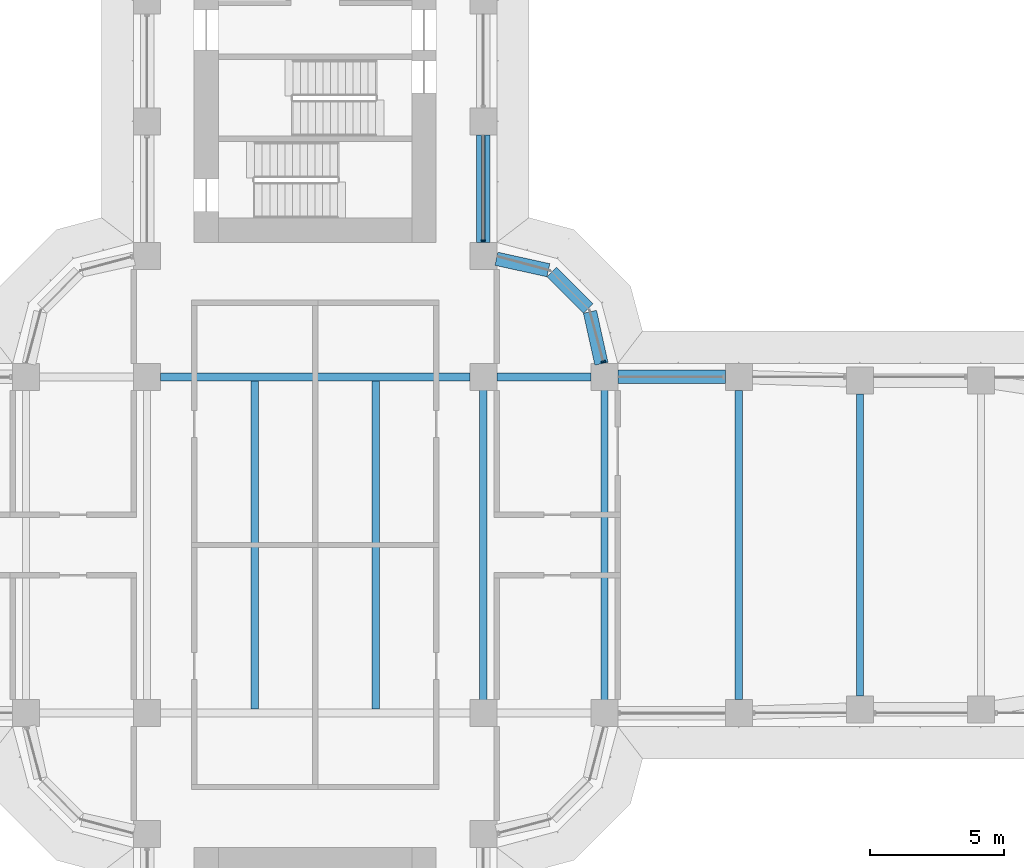
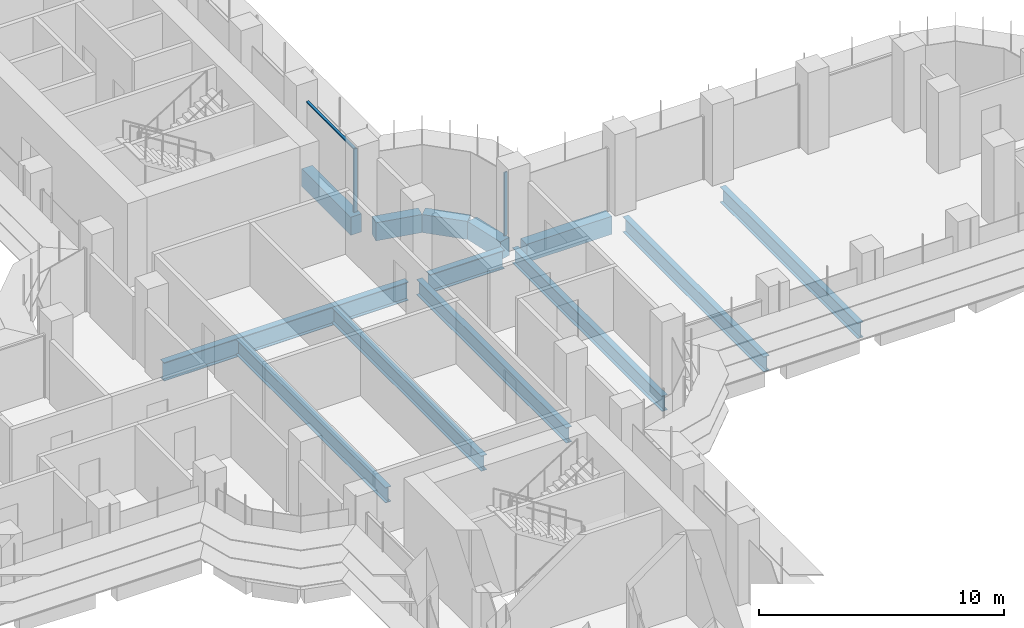
# One storey, part 8 of 23: 13 beams, 3 members, 2 elements without a shape of their own.
"""IFC4 building model written with IfcOpenShell, lengths in metres."""

from ifc_helpers import new_model, si_unit, direction, frame, origin, origin_2d, place, context, subcontext, project, spatial, polyline, rectangle, i_section, outline, extrude, source, transform, mapped, material, material_profile, profile_set, type_object, element, aggregate, save


model = new_model("IFC4")

# Units and contexts
model_context = context("Model", 3, precision=1e-05, world=origin(), true_north=direction((0.0, 1.0)))
body_context = subcontext(model_context, "Body", "Model", "MODEL_VIEW")
ifc_project = project(units=[si_unit("LENGTHUNIT", "METRE"), si_unit("AREAUNIT", "SQUARE_METRE"), si_unit("VOLUMEUNIT", "CUBIC_METRE"), si_unit("PLANEANGLEUNIT", "RADIAN"), si_unit("MASSUNIT", "GRAM", prefix="KILO")], contexts=[model_context])

# Site, building, storey
site_placement = place(None, origin())
site = spatial("IfcSite", under=ifc_project, at=site_placement, CompositionType="ELEMENT")
building_placement = place(site_placement, origin())
building = spatial("IfcBuilding", under=site, at=building_placement, Name="Zarbagh Exchange Tower", CompositionType="ELEMENT")
storey_placement = place(building_placement, frame((0.0, 0.0, 60.60009765625)))
storey = spatial("IfcBuildingStorey", under=building, at=storey_placement, Name="L13", CompositionType="ELEMENT", Elevation=60.60009765625)

# Beams
ifc_material_1 = material(Name="Steel ASTM A992 Gr 50", Category="steel")
ifc_material_profile_1 = material_profile(ifc_material_1, i_section(OverallWidth=0.2666015625, OverallDepth=0.76708984375, WebThickness=0.014892578125, FlangeThickness=0.023681640625, at=origin_2d()), Name="W30X124")
ifc_profile_set_1 = profile_set([ifc_material_profile_1], Name="Steel ASTM A992 Gr 50")
beam_type_1 = type_object("IfcBeamType", Name="Floor beam W30X124", PredefinedType="BEAM", material=ifc_profile_set_1)
for number, where, z_axis, x_axis, name in (
    (1, (-2.25, -6.09765625, -0.53369140625), (0.0, 1.0, 0.0), (-1.0, 0.0, 0.0), "Steel floor beam"),
    (2, (2.25, -6.09765625, -0.53369140625), (0.0, 1.0, 0.0), (-1.0, 0.0, 0.0), "Steel floor beam"),
    (3, (6.25, -6.09765625, -0.53369140625), (0.0, 1.0, 0.0), (-1.0, 0.0, 0.0), "Steel floor beam"),
    (4, (10.75, -6.09765625, -0.53369140625), (0.0, 1.0, 0.0), (-1.0, 0.0, 0.0), "Steel floor beam"),
):
    element("IfcBeam", number, at=place(storey_placement, frame(where, z_axis=z_axis, x_axis=x_axis)), inside=storey, type_object=beam_type_1, Name=name, PredefinedType="BEAM", context=body_context, shape_type="SweptSolid", body=[
        extrude(i_section(OverallWidth=0.2666015625, OverallDepth=0.76708984375, WebThickness=0.014892578125, FlangeThickness=0.023681640625, at=origin_2d()), origin(), (0.0, 0.0, 1.0), 12.1953125),
    ])
beam_1_placement = place(storey_placement, frame((15.75, -5.75, -0.53369140625), z_axis=(0.0, 1.0, 0.0), x_axis=(-1.0, 0.0, 0.0)))
element("IfcBeam", 5, at=beam_1_placement, inside=storey, type_object=beam_type_1, Name="Steel floor beam", PredefinedType="BEAM", context=body_context, shape_type="SweptSolid", body=[
    extrude(i_section(OverallWidth=0.2666015625, OverallDepth=0.76708984375, WebThickness=0.014892578125, FlangeThickness=0.023681640625, at=origin_2d()), origin(), (0.0, 0.0, 1.0), 11.5),
])
beam_2_placement = place(storey_placement, frame((20.25, -5.610107421875, -0.53369140625), z_axis=(0.0, 1.0, 0.0), x_axis=(-1.0, 0.0, 0.0)))
element("IfcBeam", 6, at=beam_2_placement, inside=storey, type_object=beam_type_1, Name="Steel floor beam", PredefinedType="BEAM", context=body_context, shape_type="SweptSolid", body=[
    extrude(i_section(OverallWidth=0.2666015625, OverallDepth=0.76708984375, WebThickness=0.014892578125, FlangeThickness=0.023681640625, at=origin_2d()), origin(), (0.0, 0.0, 1.0), 11.22021484375),
])
ifc_material_profile_2 = material_profile(ifc_material_1, i_section(OverallWidth=0.3046875, OverallDepth=0.91943359375, WebThickness=0.017333984375, FlangeThickness=0.02783203125, at=origin_2d()), Name="W36X170")
ifc_profile_set_2 = profile_set([ifc_material_profile_2], Name="Steel ASTM A992 Gr 50")
beam_type_2 = type_object("IfcBeamType", Name="Floor girder W36X170", PredefinedType="BEAM", material=ifc_profile_set_2)
beam_3_placement = place(storey_placement, frame((-5.75, 6.25, -0.60986328125), z_axis=(1.0, 0.0, 0.0), x_axis=(0.0, 1.0, 0.0)))
element("IfcBeam", 7, at=beam_3_placement, inside=storey, type_object=beam_type_2, Name="Steel girder", PredefinedType="BEAM", context=body_context, shape_type="SweptSolid", body=[
    extrude(i_section(OverallWidth=0.3046875, OverallDepth=0.91943359375, WebThickness=0.017333984375, FlangeThickness=0.02783203125, at=origin_2d()), origin(), (0.0, 0.0, 1.0), 11.5),
])
beam_4_placement = place(storey_placement, frame((6.75, 6.25, -0.60986328125), z_axis=(1.0, 0.0, 0.0), x_axis=(0.0, 1.0, 0.0)))
element("IfcBeam", 8, at=beam_4_placement, inside=storey, type_object=beam_type_2, Name="Steel girder", PredefinedType="BEAM", context=body_context, shape_type="SweptSolid", body=[
    extrude(i_section(OverallWidth=0.3046875, OverallDepth=0.91943359375, WebThickness=0.017333984375, FlangeThickness=0.02783203125, at=origin_2d()), origin(), (0.0, 0.0, 1.0), 3.5),
])
ifc_material_2 = material(Name="Concrete C60/75", Category="concrete")
ifc_material_profile_3 = material_profile(ifc_material_2, rectangle(XDim=0.5, YDim=0.89990234375, at=origin_2d()), Name="RC spandrel beam 500 x 900 C60/75")
ifc_profile_set_3 = profile_set([ifc_material_profile_3], Name="Concrete C60/75")
beam_type_3 = type_object("IfcBeamType", Name="RC spandrel beam 500 x 900 C60/75", PredefinedType="SPANDREL", material=ifc_profile_set_3)
beam_5_placement = place(storey_placement, frame((6.25, 15.25, -0.60009765625), z_axis=(0.0, -1.0, 0.0), x_axis=(1.0, 0.0, 0.0)))
element("IfcBeam", 9, at=beam_5_placement, inside=storey, type_object=beam_type_3, Name="RC spandrel beam", PredefinedType="SPANDREL", context=body_context, shape_type="SweptSolid", body=[
    extrude(rectangle(XDim=0.5, YDim=0.89990234375, at=origin_2d()), origin(), (0.0, 0.0, 1.0), 4.0),
])
beam_6_placement = place(storey_placement, frame((6.73828125, 10.64208984375, -0.60009765625), z_axis=(0.976375426825, -0.216081063242, 0.0), x_axis=(0.216081063242, 0.976375426825, 0.0)))
element("IfcBeam", 10, at=beam_6_placement, inside=storey, type_object=beam_type_3, Name="RC spandrel beam", PredefinedType="SPANDREL", context=body_context, shape_type="SweptSolid", body=[
    extrude(rectangle(XDim=0.5, YDim=0.89990234375, at=origin_2d()), origin(), (0.0, 0.0, 1.0), 1.978271484375),
])
beam_7_placement = place(storey_placement, frame((8.792724609375, 10.147216796875, -0.60009765625), z_axis=(0.707106781187, -0.707106781187, 0.0), x_axis=(0.707106781187, 0.707106781187, 0.0)))
element("IfcBeam", 11, at=beam_7_placement, inside=storey, type_object=beam_type_3, Name="RC spandrel beam", PredefinedType="SPANDREL", context=body_context, shape_type="SweptSolid", body=[
    extrude(rectangle(XDim=0.5, YDim=0.89990234375, at=origin_2d()), origin(), (0.0, 0.0, 1.0), 1.91552734375),
])
beam_8_placement = place(storey_placement, frame((10.214599609375, 8.669921875, -0.60009765625), z_axis=(0.216081063242, -0.976375426825, 0.0), x_axis=(0.976375426825, 0.216081063242, 0.0)))
element("IfcBeam", 12, at=beam_8_placement, inside=storey, type_object=beam_type_3, Name="RC spandrel beam", PredefinedType="SPANDREL", context=body_context, shape_type="SweptSolid", body=[
    extrude(rectangle(XDim=0.5, YDim=0.89990234375, at=origin_2d()), origin(), (0.0, 0.0, 1.0), 1.978271484375),
])
beam_9_placement = place(storey_placement, frame((11.25, 6.25, -0.60009765625), z_axis=(1.0, 0.0, 0.0), x_axis=(0.0, 1.0, 0.0)))
element("IfcBeam", 13, at=beam_9_placement, inside=storey, type_object=beam_type_3, Name="RC spandrel beam", PredefinedType="SPANDREL", context=body_context, shape_type="SweptSolid", body=[
    extrude(rectangle(XDim=0.5, YDim=0.89990234375, at=origin_2d()), origin(), (0.0, 0.0, 1.0), 4.0),
])

# Curtain wall, member
ifc_material_3 = material(Name="Anodised aluminium frame and glazing", Category="aluminium")
curtain_wall_type = type_object("IfcCurtainWallType", Name="CWA Ribbon glazing, lower zones", PredefinedType="NOTDEFINED", material=ifc_material_3)
curtain_wall_1_placement = place(storey_placement, origin())
curtain_wall_1 = element("IfcCurtainWall", 14, at=curtain_wall_1_placement, inside=storey, type_object=curtain_wall_type, Name="CWA17 curtain wall", PredefinedType="NOTDEFINED")
ifc_material_4 = material(Name="Anodised aluminium frame", Category="aluminium")
member_type_1 = type_object("IfcMemberType", Name="MUA Mullion, anodised aluminium frame", PredefinedType="MULLION", material=ifc_material_4)
shared_shape_1 = source(origin(), body_context, "Body", "SweptSolid", [
    extrude(outline(polyline([(0.0, -0.080078125), (0.06005859375, -0.080078125), (0.06005859375, 0.080078125), (0.0, 0.080078125), (0.0, -0.080078125)])), origin(), (0.0, 0.0, 1.0), 3.14990234375),
])
placement = place(storey_placement, origin())
member_1 = element("IfcMember", 15, at=placement, type_object=member_type_1, Name="CWA17 mullion 1.1", PredefinedType="MULLION", context=body_context, shape_type="MappedRepresentation", body=[
    mapped(shared_shape_1, transform((10.7216796875, 6.7900390625, 0.0), x_axis=(-0.258824779902, 0.965924289636, 0.0), y_axis=(-0.965924289636, -0.258824779902, 0.0), z_axis=(0.0, 0.0, 1.0))),
])
aggregate(curtain_wall_1, [member_1])

# Curtain wall, members
curtain_wall_2_placement = place(storey_placement, origin())
curtain_wall_2 = element("IfcCurtainWall", 16, at=curtain_wall_2_placement, inside=storey, type_object=curtain_wall_type, Name="CWA20 curtain wall", PredefinedType="NOTDEFINED")
member_2 = element("IfcMember", 17, at=placement, type_object=member_type_1, Name="CWA20 mullion 1.1", PredefinedType="MULLION", context=body_context, shape_type="MappedRepresentation", body=[
    mapped(shared_shape_1, transform((6.25, 11.2900390625, 0.0), x_axis=(0.0, 1.0, 0.0), y_axis=(-1.0, 0.0, 0.0), z_axis=(0.0, 0.0, 1.0))),
])
member_type_2 = type_object("IfcMemberType", Name="TRA Transom, anodised aluminium frame", PredefinedType="USERDEFINED", material=ifc_material_4)
shared_shape_2 = source(origin(), body_context, "Body", "SweptSolid", [
    extrude(outline(polyline([(-0.06005859375, -0.06005859375), (0.0, -0.06005859375), (0.0, 0.06005859375), (-0.06005859375, 0.06005859375), (-0.06005859375, -0.06005859375)])), origin(), (0.0, 0.0, 1.0), 3.860107421875),
])
member_3 = element("IfcMember", 18, at=placement, type_object=member_type_2, Name="CWA20 transom 1.1", ObjectType="TRANSOM", PredefinedType="USERDEFINED", context=body_context, shape_type="MappedRepresentation", body=[
    mapped(shared_shape_2, transform((6.25, 11.35009765625, 3.14990234375), x_axis=(0.0, 0.0, 1.0), y_axis=(1.0, 0.0, 0.0), z_axis=(0.0, 1.0, 0.0))),
])
aggregate(curtain_wall_2, [member_2, member_3])

save(model, "model.ifc")
